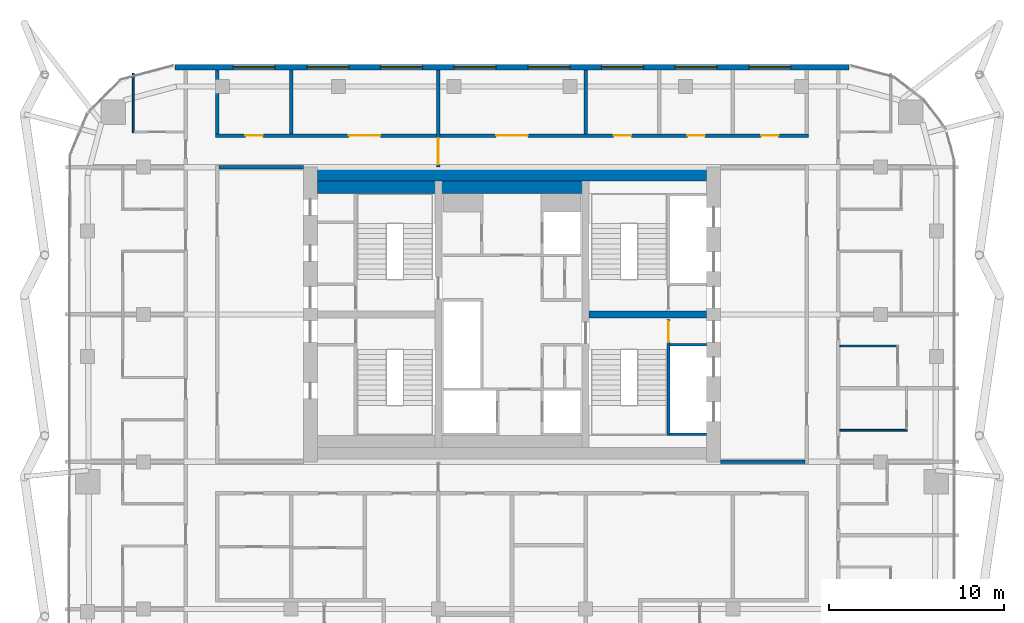
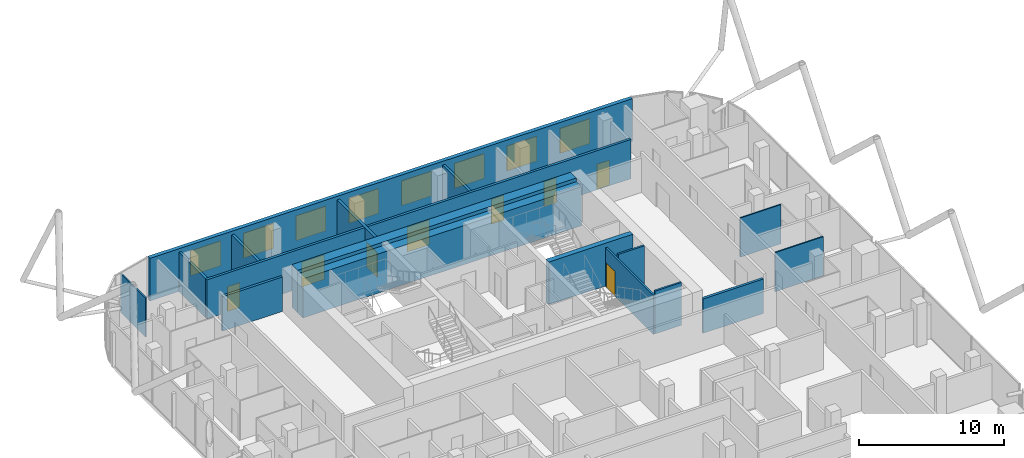
# One storey, part 30 of 33: 17 walls, 8 doors, 8 windows, 16 openings.
"""IFC4 building model written with IfcOpenShell, lengths in metres."""

from ifc_helpers import new_model, si_unit, direction, frame, frame_2d, origin, place, context, subcontext, project, spatial, rectangle, extrude, material, layer, layer_set, type_object, element, fill, save


model = new_model("IFC4")

# Units and contexts
model_context = context("Model", 3, precision=1e-05, world=origin(), true_north=direction((0.0, 1.0)))
body_context = subcontext(model_context, "Body", "Model", "MODEL_VIEW")
ifc_project = project(units=[si_unit("LENGTHUNIT", "METRE"), si_unit("AREAUNIT", "SQUARE_METRE"), si_unit("VOLUMEUNIT", "CUBIC_METRE"), si_unit("PLANEANGLEUNIT", "RADIAN"), si_unit("MASSUNIT", "GRAM", prefix="KILO")], contexts=[model_context])

# Site, building, storey
site_placement = place(None, origin())
site = spatial("IfcSite", under=ifc_project, at=site_placement, CompositionType="ELEMENT")
building_placement = place(site_placement, origin())
building = spatial("IfcBuilding", under=site, at=building_placement, Name="Marenta Gate Hotel Tower", CompositionType="ELEMENT")
storey_placement = place(building_placement, frame((0.0, 0.0, 248.89990234375)))
storey = spatial("IfcBuildingStorey", under=building, at=storey_placement, Name="L59", CompositionType="ELEMENT", Elevation=248.89990234375)

# Wall, openings, windows
ifc_material_1 = material(Name="Concrete C40 board-marked", Category="concrete")
ifc_layer_1 = layer(ifc_material_1, 0.300048828125)
ifc_layer_set_1 = layer_set([ifc_layer_1], Name="Concrete C40 board-marked")
wall_type_1 = type_object("IfcWallType", Name="Board-marked concrete wall 300 mm", PredefinedType="NOTDEFINED", material=ifc_layer_set_1)
wall_1_placement = place(storey_placement, frame((19.205810546875, 22.489990234375, 0.0), z_axis=(0.0, 0.0, 1.0), x_axis=(-1.0, 0.0, 0.0)))
wall_1 = element("IfcWall", 1, at=wall_1_placement, inside=storey, type_object=wall_type_1, Name="L59-CLD-N00", PredefinedType="NOTDEFINED", context=body_context, shape_type="SweptSolid", body=[
    extrude(rectangle(XDim=38.41162109375, YDim=0.300048828125, at=frame_2d((19.205810546875, 0.0))), origin(), (0.0, 0.0, 1.0), 3.60009765625),
])
opening_1_placement = place(wall_1_placement, frame((3.305908203125, 0.0, 0.89990234375)))
opening_1 = element("IfcOpeningElement", 2, at=opening_1_placement, cuts=wall_1, Name="Opening W1", PredefinedType="OPENING", context=body_context, shape_type="SweptSolid", body=[
    extrude(rectangle(XDim=2.39990234375, YDim=2.10009765625, at=frame_2d((1.199951171875, 1.050048828125))), frame((0.0, 0.14990234375, 0.0), z_axis=(0.0, -1.0, 0.0), x_axis=(1.0, 0.0, 0.0)), (0.0, 0.0, 1.0), 0.300048828125),
])
opening_2_placement = place(wall_1_placement, frame((7.505859375, 0.0, 0.89990234375)))
opening_2 = element("IfcOpeningElement", 3, at=opening_2_placement, cuts=wall_1, Name="Opening W1", PredefinedType="OPENING", context=body_context, shape_type="SweptSolid", body=[
    extrude(rectangle(XDim=2.39990234375, YDim=2.10009765625, at=frame_2d((1.199951171875, 1.050048828125))), frame((0.0, 0.14990234375, 0.0), z_axis=(0.0, -1.0, 0.0), x_axis=(1.0, 0.0, 0.0)), (0.0, 0.0, 1.0), 0.300048828125),
])
opening_3_placement = place(wall_1_placement, frame((11.705810546875, 0.0, 0.89990234375)))
opening_3 = element("IfcOpeningElement", 4, at=opening_3_placement, cuts=wall_1, Name="Opening W1", PredefinedType="OPENING", context=body_context, shape_type="SweptSolid", body=[
    extrude(rectangle(XDim=2.39990234375, YDim=2.10009765625, at=frame_2d((1.199951171875, 1.050048828125))), frame((0.0, 0.14990234375, 0.0), z_axis=(0.0, -1.0, 0.0), x_axis=(1.0, 0.0, 0.0)), (0.0, 0.0, 1.0), 0.300048828125),
])
opening_4_placement = place(wall_1_placement, frame((15.906005859375, 0.0, 0.89990234375)))
opening_4 = element("IfcOpeningElement", 5, at=opening_4_placement, cuts=wall_1, Name="Opening W1", PredefinedType="OPENING", context=body_context, shape_type="SweptSolid", body=[
    extrude(rectangle(XDim=2.39990234375, YDim=2.10009765625, at=frame_2d((1.199951171875, 1.050048828125))), frame((0.0, 0.14990234375, 0.0), z_axis=(0.0, -1.0, 0.0), x_axis=(1.0, 0.0, 0.0)), (0.0, 0.0, 1.0), 0.300048828125),
])
opening_5_placement = place(wall_1_placement, frame((20.10595703125, 0.0, 0.89990234375)))
opening_5 = element("IfcOpeningElement", 6, at=opening_5_placement, cuts=wall_1, Name="Opening W1", PredefinedType="OPENING", context=body_context, shape_type="SweptSolid", body=[
    extrude(rectangle(XDim=2.39990234375, YDim=2.10009765625, at=frame_2d((1.199951171875, 1.050048828125))), frame((0.0, 0.14990234375, 0.0), z_axis=(0.0, -1.0, 0.0), x_axis=(1.0, 0.0, 0.0)), (0.0, 0.0, 1.0), 0.300048828125),
])
opening_6_placement = place(wall_1_placement, frame((24.305908203125, 0.0, 0.89990234375)))
opening_6 = element("IfcOpeningElement", 7, at=opening_6_placement, cuts=wall_1, Name="Opening W1", PredefinedType="OPENING", context=body_context, shape_type="SweptSolid", body=[
    extrude(rectangle(XDim=2.39990234375, YDim=2.10009765625, at=frame_2d((1.199951171875, 1.050048828125))), frame((0.0, 0.14990234375, 0.0), z_axis=(0.0, -1.0, 0.0), x_axis=(1.0, 0.0, 0.0)), (0.0, 0.0, 1.0), 0.300048828125),
])
opening_7_placement = place(wall_1_placement, frame((28.505859375, 0.0, 0.89990234375)))
opening_7 = element("IfcOpeningElement", 8, at=opening_7_placement, cuts=wall_1, Name="Opening W1", PredefinedType="OPENING", context=body_context, shape_type="SweptSolid", body=[
    extrude(rectangle(XDim=2.39990234375, YDim=2.10009765625, at=frame_2d((1.199951171875, 1.050048828125))), frame((0.0, 0.14990234375, 0.0), z_axis=(0.0, -1.0, 0.0), x_axis=(1.0, 0.0, 0.0)), (0.0, 0.0, 1.0), 0.300048828125),
])
opening_8_placement = place(wall_1_placement, frame((32.705810546875, 0.0, 0.89990234375)))
opening_8 = element("IfcOpeningElement", 9, at=opening_8_placement, cuts=wall_1, Name="Opening W1", PredefinedType="OPENING", context=body_context, shape_type="SweptSolid", body=[
    extrude(rectangle(XDim=2.39990234375, YDim=2.10009765625, at=frame_2d((1.199951171875, 1.050048828125))), frame((0.0, 0.14990234375, 0.0), z_axis=(0.0, -1.0, 0.0), x_axis=(1.0, 0.0, 0.0)), (0.0, 0.0, 1.0), 0.300048828125),
])
ifc_material_2 = material(Name="Tinted insulated glass in bronze anodised frame", Category="glass")
window_type = type_object("IfcWindowType", Name="Window W1 2400x2100 bronze frame", PartitioningType="SINGLE_PANEL", PredefinedType="WINDOW", material=ifc_material_2)
window_1_placement = place(opening_1_placement, origin())
window_1 = element("IfcWindow", 10, at=window_1_placement, inside=storey, type_object=window_type, Name="Window W1", OverallHeight=2.10009765625, OverallWidth=2.39990234375, PartitioningType="SINGLE_PANEL", PredefinedType="WINDOW", context=body_context, shape_type="SweptSolid", body=[
    extrude(rectangle(XDim=2.39990234375, YDim=2.10009765625, at=frame_2d((1.199951171875, 1.050048828125))), frame((0.0, 0.030029296875, 0.0), z_axis=(0.0, -1.0, 0.0), x_axis=(1.0, 0.0, 0.0)), (0.0, 0.0, 1.0), 0.06005859375),
])
fill(opening_1, window_1)
window_2_placement = place(opening_2_placement, origin())
window_2 = element("IfcWindow", 11, at=window_2_placement, inside=storey, type_object=window_type, Name="Window W1", OverallHeight=2.10009765625, OverallWidth=2.39990234375, PartitioningType="SINGLE_PANEL", PredefinedType="WINDOW", context=body_context, shape_type="SweptSolid", body=[
    extrude(rectangle(XDim=2.39990234375, YDim=2.10009765625, at=frame_2d((1.199951171875, 1.050048828125))), frame((0.0, 0.030029296875, 0.0), z_axis=(0.0, -1.0, 0.0), x_axis=(1.0, 0.0, 0.0)), (0.0, 0.0, 1.0), 0.06005859375),
])
fill(opening_2, window_2)
window_3_placement = place(opening_3_placement, origin())
window_3 = element("IfcWindow", 12, at=window_3_placement, inside=storey, type_object=window_type, Name="Window W1", OverallHeight=2.10009765625, OverallWidth=2.39990234375, PartitioningType="SINGLE_PANEL", PredefinedType="WINDOW", context=body_context, shape_type="SweptSolid", body=[
    extrude(rectangle(XDim=2.39990234375, YDim=2.10009765625, at=frame_2d((1.199951171875, 1.050048828125))), frame((0.0, 0.030029296875, 0.0), z_axis=(0.0, -1.0, 0.0), x_axis=(1.0, 0.0, 0.0)), (0.0, 0.0, 1.0), 0.06005859375),
])
fill(opening_3, window_3)
window_4_placement = place(opening_4_placement, origin())
window_4 = element("IfcWindow", 13, at=window_4_placement, inside=storey, type_object=window_type, Name="Window W1", OverallHeight=2.10009765625, OverallWidth=2.39990234375, PartitioningType="SINGLE_PANEL", PredefinedType="WINDOW", context=body_context, shape_type="SweptSolid", body=[
    extrude(rectangle(XDim=2.39990234375, YDim=2.10009765625, at=frame_2d((1.199951171875, 1.050048828125))), frame((0.0, 0.030029296875, 0.0), z_axis=(0.0, -1.0, 0.0), x_axis=(1.0, 0.0, 0.0)), (0.0, 0.0, 1.0), 0.06005859375),
])
fill(opening_4, window_4)
window_5_placement = place(opening_5_placement, origin())
window_5 = element("IfcWindow", 14, at=window_5_placement, inside=storey, type_object=window_type, Name="Window W1", OverallHeight=2.10009765625, OverallWidth=2.39990234375, PartitioningType="SINGLE_PANEL", PredefinedType="WINDOW", context=body_context, shape_type="SweptSolid", body=[
    extrude(rectangle(XDim=2.39990234375, YDim=2.10009765625, at=frame_2d((1.199951171875, 1.050048828125))), frame((0.0, 0.030029296875, 0.0), z_axis=(0.0, -1.0, 0.0), x_axis=(1.0, 0.0, 0.0)), (0.0, 0.0, 1.0), 0.06005859375),
])
fill(opening_5, window_5)
window_6_placement = place(opening_6_placement, origin())
window_6 = element("IfcWindow", 15, at=window_6_placement, inside=storey, type_object=window_type, Name="Window W1", OverallHeight=2.10009765625, OverallWidth=2.39990234375, PartitioningType="SINGLE_PANEL", PredefinedType="WINDOW", context=body_context, shape_type="SweptSolid", body=[
    extrude(rectangle(XDim=2.39990234375, YDim=2.10009765625, at=frame_2d((1.199951171875, 1.050048828125))), frame((0.0, 0.030029296875, 0.0), z_axis=(0.0, -1.0, 0.0), x_axis=(1.0, 0.0, 0.0)), (0.0, 0.0, 1.0), 0.06005859375),
])
fill(opening_6, window_6)
window_7_placement = place(opening_7_placement, origin())
window_7 = element("IfcWindow", 16, at=window_7_placement, inside=storey, type_object=window_type, Name="Window W1", OverallHeight=2.10009765625, OverallWidth=2.39990234375, PartitioningType="SINGLE_PANEL", PredefinedType="WINDOW", context=body_context, shape_type="SweptSolid", body=[
    extrude(rectangle(XDim=2.39990234375, YDim=2.10009765625, at=frame_2d((1.199951171875, 1.050048828125))), frame((0.0, 0.030029296875, 0.0), z_axis=(0.0, -1.0, 0.0), x_axis=(1.0, 0.0, 0.0)), (0.0, 0.0, 1.0), 0.06005859375),
])
fill(opening_7, window_7)
window_8_placement = place(opening_8_placement, origin())
window_8 = element("IfcWindow", 17, at=window_8_placement, inside=storey, type_object=window_type, Name="Window W1", OverallHeight=2.10009765625, OverallWidth=2.39990234375, PartitioningType="SINGLE_PANEL", PredefinedType="WINDOW", context=body_context, shape_type="SweptSolid", body=[
    extrude(rectangle(XDim=2.39990234375, YDim=2.10009765625, at=frame_2d((1.199951171875, 1.050048828125))), frame((0.0, 0.030029296875, 0.0), z_axis=(0.0, -1.0, 0.0), x_axis=(1.0, 0.0, 0.0)), (0.0, 0.0, 1.0), 0.06005859375),
])
fill(opening_8, window_8)

# Wall, opening, door
ifc_material_3 = material(Name="Concrete blockwork", Category="masonry")
ifc_layer_2 = layer(ifc_material_3, 0.199951171875)
ifc_layer_set_2 = layer_set([ifc_layer_2], Name="Concrete blockwork")
wall_type_2 = type_object("IfcWallType", Name="Compartment wall 200 REI 180", PredefinedType="PARTITIONING", material=ifc_layer_set_2)
wall_2_placement = place(storey_placement, frame((-4.199951171875, 16.800048828125, 0.0), z_axis=(0.0, 0.0, 1.0), x_axis=(0.0, 1.0, 0.0)))
wall_2 = element("IfcWall", 18, at=wall_2_placement, inside=storey, type_object=wall_type_2, Name="L59-PTN-W072", PredefinedType="PARTITIONING", context=body_context, shape_type="SweptSolid", body=[
    extrude(rectangle(XDim=5.5400390625, YDim=0.199951171875, at=frame_2d((2.77001953125, 0.0))), origin(), (0.0, 0.0, 1.0), 3.300048828125),
])
opening_9_placement = place(wall_2_placement, frame((0.14990234375, 0.0, 0.0)))
opening_9 = element("IfcOpeningElement", 19, at=opening_9_placement, cuts=wall_2, Name="Opening G21-FD1", PredefinedType="OPENING", context=body_context, shape_type="SweptSolid", body=[
    extrude(rectangle(XDim=1.5, YDim=2.10009765625, at=frame_2d((0.75, 1.050048828125))), frame((0.0, 0.10009765625, 0.0), z_axis=(0.0, -1.0, 0.0), x_axis=(1.0, 0.0, 0.0)), (0.0, 0.0, 1.0), 0.199951171875),
])
ifc_material_4 = material(Name="Hollow steel door set", Category="steel")
door_type_1 = type_object("IfcDoorType", Name="Compartment fire door 1500x2100 EI 60", OperationType="DOUBLE_DOOR_DOUBLE_SWING", PredefinedType="DOOR", material=ifc_material_4)
door_1_placement = place(opening_9_placement, origin())
door_1 = element("IfcDoor", 20, at=door_1_placement, inside=storey, type_object=door_type_1, Name="L59-PD-FD01", OperationType="DOUBLE_DOOR_DOUBLE_SWING", OverallHeight=2.10009765625, OverallWidth=1.5, PredefinedType="DOOR", context=body_context, shape_type="SweptSolid", body=[
    extrude(rectangle(XDim=1.5, YDim=2.10009765625, at=frame_2d((0.75, 1.050048828125))), frame((0.0, 0.02490234375, 0.0), z_axis=(0.0, -1.0, 0.0), x_axis=(1.0, 0.0, 0.0)), (0.0, 0.0, 1.0), 0.050048828125),
])
fill(opening_9, door_1)

# Walls
ifc_material_5 = material(Name="Concrete blockwork", Category="masonry")
ifc_layer_3 = layer(ifc_material_5, 0.199951171875)
ifc_layer_set_3 = layer_set([ifc_layer_3], Name="Concrete blockwork")
wall_type_3 = type_object("IfcWallType", Name="Core boundary wall 200 REI 180", PredefinedType="PARTITIONING", material=ifc_layer_set_3)
for number, where, z_axis, x_axis, name in (
    (21, (-16.699951171875, 16.800048828125, 0.0), (0.0, 0.0, 1.0), (1.0, 0.0, 0.0), "L59-CP-EW-WN"),
    (22, (11.89990234375, 0.0, 0.0), (0.0, 0.0, 1.0), (1.0, 0.0, 0.0), "L59-CP-EW-ES"),
):
    element("IfcWall", number, at=place(storey_placement, frame(where, z_axis=z_axis, x_axis=x_axis)), inside=storey, type_object=wall_type_3, Name=name, PredefinedType="PARTITIONING", context=body_context, shape_type="SweptSolid", body=[
        extrude(rectangle(XDim=4.800048828125, YDim=0.199951171875, at=frame_2d((2.39990234375, 0.0))), origin(), (0.0, 0.0, 1.0), 2.900146484375),
    ])
ifc_material_6 = material(Name="Concrete C40", Category="concrete")
ifc_layer_4 = layer(ifc_material_6, 0.699951171875)
ifc_layer_set_4 = layer_set([ifc_layer_4], Name="Concrete C40")
wall_type_4 = type_object("IfcWallType", Name="Core lining wall 700 REI 180", PredefinedType="PARTITIONING", material=ifc_layer_set_4)
wall_3_placement = place(storey_placement, frame((-11.10009765625, 15.64990234375, 0.0), z_axis=(0.0, 0.0, 1.0), x_axis=(1.0, 0.0, 0.0)))
element("IfcWall", 23, at=wall_3_placement, inside=storey, type_object=wall_type_4, Name="L59-CP-LN-N", PredefinedType="PARTITIONING", context=body_context, shape_type="SweptSolid", body=[
    extrude(rectangle(XDim=22.2001953125, YDim=0.699951171875, at=frame_2d((11.10009765625, 0.0))), origin(), (0.0, 0.0, 1.0), 3.300048828125),
])
ifc_material_7 = material(Name="Concrete C40", Category="concrete")
ifc_layer_5 = layer(ifc_material_7, 0.14990234375)
ifc_layer_set_5 = layer_set([ifc_layer_5], Name="Concrete C40")
wall_type_5 = type_object("IfcWallType", Name="Core shaft wall 150 REI 180", PredefinedType="SHEAR", material=ifc_layer_set_5)
for number, where, z_axis, x_axis, name in (
    (24, (9.0, 6.675048828125, 0.0), (0.0, 0.0, 1.0), (1.0, 0.0, 0.0), "L59-SHF-SW-ES-2"),
    (25, (9.0, 1.574951171875, 0.0), (0.0, 0.0, 1.0), (1.0, 0.0, 0.0), "L59-SHF-SW-ES-5"),
):
    element("IfcWall", number, at=place(storey_placement, frame(where, z_axis=z_axis, x_axis=x_axis)), inside=storey, type_object=wall_type_5, Name=name, PredefinedType="SHEAR", context=body_context, shape_type="SweptSolid", body=[
        extrude(rectangle(XDim=2.10009765625, YDim=0.14990234375, at=frame_2d((1.050048828125, 0.0))), origin(), (0.0, 0.0, 1.0), 3.60009765625),
    ])

# Wall, opening, door
ifc_material_8 = material(Name="Concrete C40", Category="concrete")
ifc_layer_6 = layer(ifc_material_8, 0.14990234375)
ifc_layer_set_6 = layer_set([ifc_layer_6], Name="Concrete C40")
wall_type_6 = type_object("IfcWallType", Name="Core stair enclosure wall 150 REI 180", PredefinedType="SHEAR", material=ifc_layer_set_6)
wall_4_placement = place(storey_placement, frame((8.925048828125, 1.5, 0.0), z_axis=(0.0, 0.0, 1.0), x_axis=(0.0, 1.0, 0.0)))
wall_4 = element("IfcWall", 26, at=wall_4_placement, inside=storey, type_object=wall_type_6, Name="L59-SHF-SW-ES-3", PredefinedType="SHEAR", context=body_context, shape_type="SweptSolid", body=[
    extrude(rectangle(XDim=6.60009765625, YDim=0.14990234375, at=frame_2d((3.300048828125, 0.0))), origin(), (0.0, 0.0, 1.0), 3.300048828125),
])
opening_10_placement = place(wall_4_placement, frame((5.324951171875, 0.0, 0.0)))
opening_10 = element("IfcOpeningElement", 27, at=opening_10_placement, cuts=wall_4, Name="Opening SD-ES", PredefinedType="OPENING", context=body_context, shape_type="SweptSolid", body=[
    extrude(rectangle(XDim=1.199951171875, YDim=2.10009765625, at=frame_2d((0.60009765625, 1.050048828125))), frame((0.0, 0.074951171875, 0.0), z_axis=(0.0, -1.0, 0.0), x_axis=(1.0, 0.0, 0.0)), (0.0, 0.0, 1.0), 0.14990234375),
])
ifc_material_9 = material(Name="Steel", Category="steel")
door_type_2 = type_object("IfcDoorType", Name="Core stair door 1200x2100 FD60", OperationType="SINGLE_SWING_LEFT", PredefinedType="DOOR", material=ifc_material_9)
door_2_placement = place(opening_10_placement, origin())
door_2 = element("IfcDoor", 28, at=door_2_placement, inside=storey, type_object=door_type_2, Name="SD-ES", OperationType="SINGLE_SWING_LEFT", OverallHeight=2.10009765625, OverallWidth=1.199951171875, PredefinedType="DOOR", context=body_context, shape_type="SweptSolid", body=[
    extrude(rectangle(XDim=1.199951171875, YDim=2.10009765625, at=frame_2d((0.60009765625, 1.050048828125))), frame((0.0, 0.02490234375, 0.0), z_axis=(0.0, -1.0, 0.0), x_axis=(1.0, 0.0, 0.0)), (0.0, 0.0, 1.0), 0.050048828125),
])
fill(opening_10, door_2)

# Walls
ifc_material_10 = material(Name="Concrete C60", Category="concrete")
ifc_layer_7 = layer(ifc_material_10, 0.800048828125)
ifc_layer_set_7 = layer_set([ifc_layer_7], Name="Concrete C60")
wall_type_7 = type_object("IfcWallType", Name="Core wall 800 C60", PredefinedType="SHEAR", material=ifc_layer_set_7)
wall_5_placement = place(storey_placement, frame((-11.10009765625, 16.39990234375, 0.0), z_axis=(0.0, 0.0, 1.0), x_axis=(1.0, 0.0, 0.0)))
element("IfcWall", 29, at=wall_5_placement, inside=storey, type_object=wall_type_7, Name="L59-CORE-N", PredefinedType="SHEAR", context=body_context, shape_type="SweptSolid", body=[
    extrude(rectangle(XDim=22.2001953125, YDim=0.800048828125, at=frame_2d((11.10009765625, 0.0))), origin(), (0.0, 0.0, 1.0), 3.60009765625),
])
ifc_material_11 = material(Name="Concrete C60", Category="concrete")
ifc_layer_8 = layer(ifc_material_11, 0.39990234375)
ifc_layer_set_8 = layer_set([ifc_layer_8], Name="Concrete C60")
wall_type_8 = type_object("IfcWallType", Name="Core web 400 C60", PredefinedType="SHEAR", material=ifc_layer_set_8)
wall_6_placement = place(storey_placement, frame((4.39990234375, 8.39990234375, 0.0), z_axis=(0.0, 0.0, 1.0), x_axis=(1.0, 0.0, 0.0)))
element("IfcWall", 30, at=wall_6_placement, inside=storey, type_object=wall_type_8, Name="L59-CORE-W4", PredefinedType="SHEAR", context=body_context, shape_type="SweptSolid", body=[
    extrude(rectangle(XDim=6.7001953125, YDim=0.39990234375, at=frame_2d((3.35009765625, 0.0))), origin(), (0.0, 0.0, 1.0), 3.60009765625),
])
ifc_material_12 = material(Name="Gypsum board on steel stud", Category="steel")
ifc_layer_9 = layer(ifc_material_12, 0.199951171875)
ifc_layer_set_9 = layer_set([ifc_layer_9], Name="Gypsum board on steel stud")
wall_type_9 = type_object("IfcWallType", Name="Room corridor wall 200 EI 60", PredefinedType="PARTITIONING", material=ifc_layer_set_9)
wall_7_placement = place(storey_placement, frame((-16.800048828125, 18.699951171875, 0.0), z_axis=(0.0, 0.0, 1.0), x_axis=(0.0, 1.0, 0.0)))
element("IfcWall", 31, at=wall_7_placement, inside=storey, type_object=wall_type_9, Name="L59-PTN-W098", PredefinedType="PARTITIONING", context=body_context, shape_type="SweptSolid", body=[
    extrude(rectangle(XDim=3.64013671875, YDim=0.199951171875, at=frame_2d((1.820068359375, 0.0))), origin(), (0.0, 0.0, 1.0), 3.300048828125),
])

# Wall, openings, doors
wall_8_placement = place(storey_placement, frame((-16.89990234375, 18.60009765625, 0.0), z_axis=(0.0, 0.0, 1.0), x_axis=(1.0, 0.0, 0.0)))
wall_8 = element("IfcWall", 32, at=wall_8_placement, inside=storey, type_object=wall_type_9, Name="L59-PTN-W102", PredefinedType="PARTITIONING", context=body_context, shape_type="SweptSolid", body=[
    extrude(rectangle(XDim=33.7998046875, YDim=0.199951171875, at=frame_2d((16.89990234375, 0.0))), origin(), (0.0, 0.0, 1.0), 3.300048828125),
])
opening_11_placement = place(wall_8_placement, frame((1.699951171875, 0.0, 0.0)))
opening_11 = element("IfcOpeningElement", 33, at=opening_11_placement, cuts=wall_8, Name="Opening G21-29", PredefinedType="OPENING", context=body_context, shape_type="SweptSolid", body=[
    extrude(rectangle(XDim=1.0, YDim=2.10009765625, at=frame_2d((0.5, 1.050048828125))), frame((0.0, 0.10009765625, 0.0), z_axis=(0.0, -1.0, 0.0), x_axis=(1.0, 0.0, 0.0)), (0.0, 0.0, 1.0), 0.199951171875),
])
opening_12_placement = place(wall_8_placement, frame((7.60009765625, 0.0, 0.0)))
opening_12 = element("IfcOpeningElement", 34, at=opening_12_placement, cuts=wall_8, Name="Opening G21-30", PredefinedType="OPENING", context=body_context, shape_type="SweptSolid", body=[
    extrude(rectangle(XDim=1.800048828125, YDim=2.10009765625, at=frame_2d((0.89990234375, 1.050048828125))), frame((0.0, 0.10009765625, 0.0), z_axis=(0.0, -1.0, 0.0), x_axis=(1.0, 0.0, 0.0)), (0.0, 0.0, 1.0), 0.199951171875),
])
opening_13_placement = place(wall_8_placement, frame((16.0, 0.0, 0.0)))
opening_13 = element("IfcOpeningElement", 35, at=opening_13_placement, cuts=wall_8, Name="Opening G21-31", PredefinedType="OPENING", context=body_context, shape_type="SweptSolid", body=[
    extrude(rectangle(XDim=1.800048828125, YDim=2.10009765625, at=frame_2d((0.89990234375, 1.050048828125))), frame((0.0, 0.10009765625, 0.0), z_axis=(0.0, -1.0, 0.0), x_axis=(1.0, 0.0, 0.0)), (0.0, 0.0, 1.0), 0.199951171875),
])
opening_14_placement = place(wall_8_placement, frame((31.10009765625, 0.0, 0.0)))
opening_14 = element("IfcOpeningElement", 36, at=opening_14_placement, cuts=wall_8, Name="Opening G21-32", PredefinedType="OPENING", context=body_context, shape_type="SweptSolid", body=[
    extrude(rectangle(XDim=1.0, YDim=2.10009765625, at=frame_2d((0.5, 1.050048828125))), frame((0.0, 0.10009765625, 0.0), z_axis=(0.0, -1.0, 0.0), x_axis=(1.0, 0.0, 0.0)), (0.0, 0.0, 1.0), 0.199951171875),
])
opening_15_placement = place(wall_8_placement, frame((22.699951171875, 0.0, 0.0)))
opening_15 = element("IfcOpeningElement", 37, at=opening_15_placement, cuts=wall_8, Name="Opening G21-65", PredefinedType="OPENING", context=body_context, shape_type="SweptSolid", body=[
    extrude(rectangle(XDim=1.0, YDim=2.10009765625, at=frame_2d((0.5, 1.050048828125))), frame((0.0, 0.10009765625, 0.0), z_axis=(0.0, -1.0, 0.0), x_axis=(1.0, 0.0, 0.0)), (0.0, 0.0, 1.0), 0.199951171875),
])
opening_16_placement = place(wall_8_placement, frame((26.89990234375, 0.0, 0.0)))
opening_16 = element("IfcOpeningElement", 38, at=opening_16_placement, cuts=wall_8, Name="Opening G21-66", PredefinedType="OPENING", context=body_context, shape_type="SweptSolid", body=[
    extrude(rectangle(XDim=1.0, YDim=2.10009765625, at=frame_2d((0.5, 1.050048828125))), frame((0.0, 0.10009765625, 0.0), z_axis=(0.0, -1.0, 0.0), x_axis=(1.0, 0.0, 0.0)), (0.0, 0.0, 1.0), 0.199951171875),
])
ifc_material_13 = material(Name="Timber door leaf", Category="wood")
door_type_3 = type_object("IfcDoorType", Name="Room amenity door 1000x2100 EI 30", OperationType="NOTDEFINED", PredefinedType="DOOR", material=ifc_material_13)
door_3_placement = place(opening_11_placement, origin())
door_3 = element("IfcDoor", 39, at=door_3_placement, inside=storey, type_object=door_type_3, Name="L59-PD-D029", OperationType="SINGLE_SWING_LEFT", OverallHeight=2.10009765625, OverallWidth=1.0, PredefinedType="DOOR", context=body_context, shape_type="SweptSolid", body=[
    extrude(rectangle(XDim=1.0, YDim=2.10009765625, at=frame_2d((0.5, 1.050048828125))), frame((0.0, 0.02490234375, 0.0), z_axis=(0.0, -1.0, 0.0), x_axis=(1.0, 0.0, 0.0)), (0.0, 0.0, 1.0), 0.050048828125),
])
fill(opening_11, door_3)
door_4_placement = place(opening_14_placement, origin())
door_4 = element("IfcDoor", 40, at=door_4_placement, inside=storey, type_object=door_type_3, Name="L59-PD-D032", OperationType="SINGLE_SWING_RIGHT", OverallHeight=2.10009765625, OverallWidth=1.0, PredefinedType="DOOR", context=body_context, shape_type="SweptSolid", body=[
    extrude(rectangle(XDim=1.0, YDim=2.10009765625, at=frame_2d((0.5, 1.050048828125))), frame((0.0, 0.02490234375, 0.0), z_axis=(0.0, -1.0, 0.0), x_axis=(1.0, 0.0, 0.0)), (0.0, 0.0, 1.0), 0.050048828125),
])
fill(opening_14, door_4)
door_5_placement = place(opening_15_placement, origin())
door_5 = element("IfcDoor", 41, at=door_5_placement, inside=storey, type_object=door_type_3, Name="L59-PD-D065", OperationType="SINGLE_SWING_LEFT", OverallHeight=2.10009765625, OverallWidth=1.0, PredefinedType="DOOR", context=body_context, shape_type="SweptSolid", body=[
    extrude(rectangle(XDim=1.0, YDim=2.10009765625, at=frame_2d((0.5, 1.050048828125))), frame((0.0, 0.02490234375, 0.0), z_axis=(0.0, -1.0, 0.0), x_axis=(1.0, 0.0, 0.0)), (0.0, 0.0, 1.0), 0.050048828125),
])
fill(opening_15, door_5)
door_6_placement = place(opening_16_placement, origin())
door_6 = element("IfcDoor", 42, at=door_6_placement, inside=storey, type_object=door_type_3, Name="L59-PD-D066", OperationType="SINGLE_SWING_RIGHT", OverallHeight=2.10009765625, OverallWidth=1.0, PredefinedType="DOOR", context=body_context, shape_type="SweptSolid", body=[
    extrude(rectangle(XDim=1.0, YDim=2.10009765625, at=frame_2d((0.5, 1.050048828125))), frame((0.0, 0.02490234375, 0.0), z_axis=(0.0, -1.0, 0.0), x_axis=(1.0, 0.0, 0.0)), (0.0, 0.0, 1.0), 0.050048828125),
])
fill(opening_16, door_6)
ifc_material_14 = material(Name="Timber door leaf", Category="wood")
door_type_4 = type_object("IfcDoorType", Name="Room amenity door 1800x2100 EI 30", OperationType="DOUBLE_DOOR_SINGLE_SWING", PredefinedType="DOOR", material=ifc_material_14)
door_7_placement = place(opening_12_placement, origin())
door_7 = element("IfcDoor", 43, at=door_7_placement, inside=storey, type_object=door_type_4, Name="L59-PD-D030", OperationType="DOUBLE_DOOR_SINGLE_SWING", OverallHeight=2.10009765625, OverallWidth=1.800048828125, PredefinedType="DOOR", context=body_context, shape_type="SweptSolid", body=[
    extrude(rectangle(XDim=1.800048828125, YDim=2.10009765625, at=frame_2d((0.89990234375, 1.050048828125))), frame((0.0, 0.02490234375, 0.0), z_axis=(0.0, -1.0, 0.0), x_axis=(1.0, 0.0, 0.0)), (0.0, 0.0, 1.0), 0.050048828125),
])
fill(opening_12, door_7)
door_8_placement = place(opening_13_placement, origin())
door_8 = element("IfcDoor", 44, at=door_8_placement, inside=storey, type_object=door_type_4, Name="L59-PD-D031", OperationType="DOUBLE_DOOR_SINGLE_SWING", OverallHeight=2.10009765625, OverallWidth=1.800048828125, PredefinedType="DOOR", context=body_context, shape_type="SweptSolid", body=[
    extrude(rectangle(XDim=1.800048828125, YDim=2.10009765625, at=frame_2d((0.89990234375, 1.050048828125))), frame((0.0, 0.02490234375, 0.0), z_axis=(0.0, -1.0, 0.0), x_axis=(1.0, 0.0, 0.0)), (0.0, 0.0, 1.0), 0.050048828125),
])
fill(opening_13, door_8)

# Walls
ifc_material_15 = material(Name="Gypsum board on steel stud", Category="steel")
ifc_layer_10 = layer(ifc_material_15, 0.10009765625)
ifc_layer_set_10 = layer_set([ifc_layer_10], Name="Gypsum board on steel stud")
wall_type_10 = type_object("IfcWallType", Name="Room partition 100", PredefinedType="PARTITIONING", material=ifc_layer_set_10)
wall_9_placement = place(storey_placement, frame((18.699951171875, 1.800048828125, 0.0), z_axis=(0.0, 0.0, 1.0), x_axis=(1.0, 0.0, 0.0)))
element("IfcWall", 45, at=wall_9_placement, inside=storey, type_object=wall_type_10, Name="L59-PTN-W067", PredefinedType="PARTITIONING", context=body_context, shape_type="SweptSolid", body=[
    extrude(rectangle(XDim=3.85009765625, YDim=0.10009765625, at=frame_2d((1.925048828125, 0.0))), origin(), (0.0, 0.0, 1.0), 3.300048828125),
])
wall_10_placement = place(storey_placement, frame((18.699951171875, 6.60009765625, 0.0), z_axis=(0.0, 0.0, 1.0), x_axis=(1.0, 0.0, 0.0)))
element("IfcWall", 46, at=wall_10_placement, inside=storey, type_object=wall_type_10, Name="L59-PTN-W076", PredefinedType="PARTITIONING", context=body_context, shape_type="SweptSolid", body=[
    extrude(rectangle(XDim=3.25, YDim=0.10009765625, at=frame_2d((1.625, 0.0))), origin(), (0.0, 0.0, 1.0), 3.300048828125),
])
wall_11_placement = place(storey_placement, frame((-21.60009765625, 18.75, 0.0), z_axis=(0.0, 0.0, 1.0), x_axis=(0.0, 1.0, 0.0)))
element("IfcWall", 47, at=wall_11_placement, inside=storey, type_object=wall_type_10, Name="L59-PTN-W105", PredefinedType="PARTITIONING", context=body_context, shape_type="SweptSolid", body=[
    extrude(rectangle(XDim=3.39501953125, YDim=0.10009765625, at=frame_2d((1.697509765625, 0.0))), origin(), (0.0, 0.0, 1.0), 3.300048828125),
])
ifc_material_16 = material(Name="Gypsum board on steel stud", Category="steel")
ifc_layer_11 = layer(ifc_material_16, 0.199951171875)
ifc_layer_set_11 = layer_set([ifc_layer_11], Name="Gypsum board on steel stud")
wall_type_11 = type_object("IfcWallType", Name="Room party wall 200 EI 60", PredefinedType="PARTITIONING", material=ifc_layer_set_11)
for number, where, z_axis, x_axis, name in (
    (48, (4.199951171875, 18.699951171875, 0.0), (0.0, 0.0, 1.0), (0.0, 1.0, 0.0), "L59-PTN-W057"),
    (49, (-12.60009765625, 18.699951171875, 0.0), (0.0, 0.0, 1.0), (0.0, 1.0, 0.0), "L59-PTN-W090"),
):
    element("IfcWall", number, at=place(storey_placement, frame(where, z_axis=z_axis, x_axis=x_axis)), inside=storey, type_object=wall_type_11, Name=name, PredefinedType="PARTITIONING", context=body_context, shape_type="SweptSolid", body=[
        extrude(rectangle(XDim=3.64013671875, YDim=0.199951171875, at=frame_2d((1.820068359375, 0.0))), origin(), (0.0, 0.0, 1.0), 3.300048828125),
    ])

save(model, "model.ifc")
